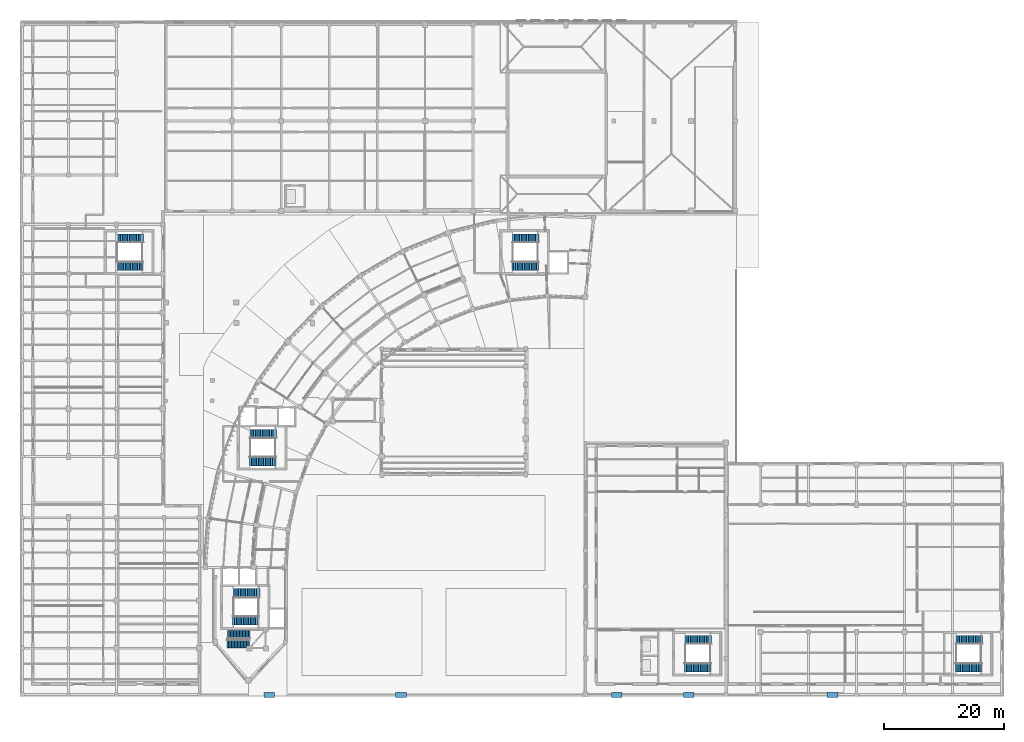
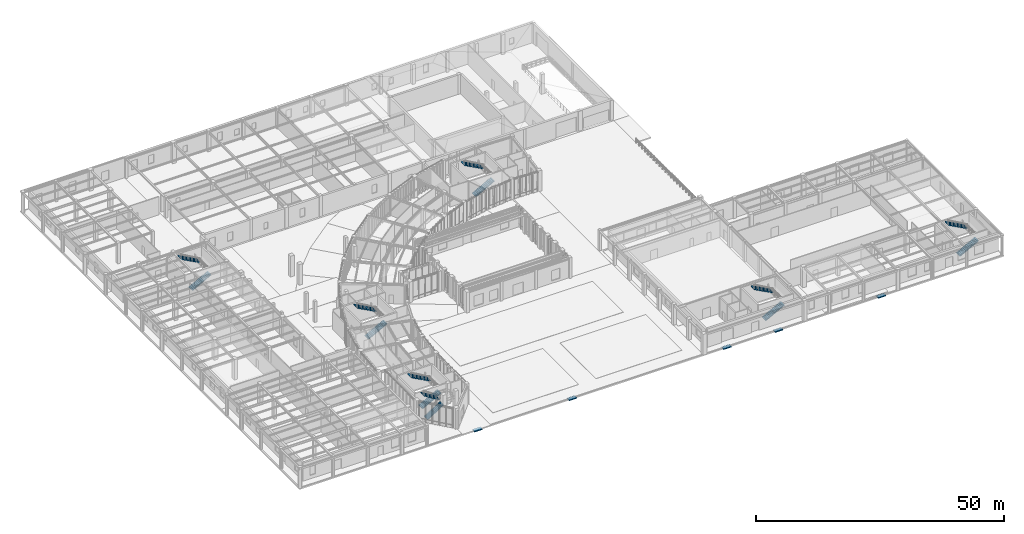
# One storey, part 51 of 68: 14 stair flights, 5 ramp flights, 12 elements without a shape of their own.
"""IFC4 building model written with IfcOpenShell, lengths in metres."""

from ifc_helpers import new_model, si_unit, direction, frame, origin, place, context, subcontext, project, spatial, polyline, outline, extrude, material, layer, layer_set, type_object, element, aggregate, save


model = new_model("IFC4")

# Units and contexts
model_context = context("Model", 3, precision=1e-05, world=origin(), true_north=direction((0.0, 1.0)))
body_context = subcontext(model_context, "Body", "Model", "MODEL_VIEW")
ifc_project = project(units=[si_unit("LENGTHUNIT", "METRE"), si_unit("AREAUNIT", "SQUARE_METRE"), si_unit("VOLUMEUNIT", "CUBIC_METRE"), si_unit("PLANEANGLEUNIT", "RADIAN"), si_unit("MASSUNIT", "GRAM", prefix="KILO"), si_unit("THERMODYNAMICTEMPERATUREUNIT", "KELVIN"), si_unit("POWERUNIT", "WATT")], contexts=[model_context])

# Site, building, storey
site_placement = place(None, origin())
site = spatial("IfcSite", under=ifc_project, at=site_placement, CompositionType="ELEMENT")
building_placement = place(site_placement, origin())
building = spatial("IfcBuilding", under=site, at=building_placement, Name="Solvatero Civic Police Headquarters", CompositionType="ELEMENT")
storey_placement = place(building_placement, origin())
storey = spatial("IfcBuildingStorey", under=building, at=storey_placement, Name="L00", CompositionType="ELEMENT", Elevation=0.0)

# Stair, stair flights
ifc_material_1 = material(Name="Precast concrete C40/50", Category="concrete")
stair_type_1 = type_object("IfcStairType", Name="STR-C145-510", PredefinedType="HALF_TURN_STAIR", material=ifc_material_1)
stair_1_placement = place(storey_placement, origin())
stair_1 = element("IfcStair", 1, at=stair_1_placement, inside=storey, type_object=stair_type_1, Name="Protected Exit Stair ST-C3 (L00 to L01)", PredefinedType="HALF_TURN_STAIR")
stair_flight_type_1 = type_object("IfcStairFlightType", Name="SFL-STR-C145-510", PredefinedType="STRAIGHT", material=ifc_material_1)
stair_flight_1_placement = place(storey_placement, frame((86.5, 76.27490234375, 0.0), z_axis=(0.0, 0.0, 1.0), x_axis=(1.0, 0.0, 0.0)))
stair_flight_1 = element("IfcStairFlight", 2, at=stair_flight_1_placement, type_object=stair_flight_type_1, Name="ST-C3 L00 Flight 1", NumberOfRisers=16, NumberOfTreads=15, PredefinedType="STRAIGHT", RiserHeight=0.159375, TreadLength=0.295, context=body_context, shape_type="SweptSolid", body=[
    extrude(outline(polyline([(0.0, 0.0), (0.0, 0.159423828125), (0.294921875, 0.159423828125), (0.294921875, 0.31884765625), (0.590087890625, 0.31884765625), (0.590087890625, 0.47802734375), (0.885009765625, 0.47802734375), (0.885009765625, 0.637451171875), (1.179931640625, 0.637451171875), (1.179931640625, 0.796875), (1.47509765625, 0.796875), (1.47509765625, 0.956298828125), (1.77001953125, 0.956298828125), (1.77001953125, 1.11572265625), (2.06494140625, 1.11572265625), (2.06494140625, 1.27490234375), (2.360107421875, 1.27490234375), (2.360107421875, 1.434326171875), (2.655029296875, 1.434326171875), (2.655029296875, 1.59375), (2.949951171875, 1.59375), (2.949951171875, 1.753173828125), (3.2451171875, 1.753173828125), (3.2451171875, 1.91259765625), (3.5400390625, 1.91259765625), (3.5400390625, 2.07177734375), (3.8349609375, 2.07177734375), (3.8349609375, 2.231201171875), (4.1298828125, 2.231201171875), (4.1298828125, 2.390625), (4.425048828125, 2.390625), (4.425048828125, 2.550048828125), (4.425048828125, 2.208984375), (0.33642578125, 0.0), (0.0, 0.0)])), frame((0.0, 0.72509765625, 0.0), z_axis=(0.0, -1.0, 0.0), x_axis=(1.0, 0.0, 0.0)), (0.0, 0.0, 1.0), 1.449951171875),
])
stair_flight_2_placement = place(storey_placement, frame((91.02490234375, 80.925048828125, 2.550048828125), z_axis=(0.0, 0.0, 1.0), x_axis=(-1.0, 0.0, 0.0)))
stair_flight_2 = element("IfcStairFlight", 3, at=stair_flight_2_placement, type_object=stair_flight_type_1, Name="ST-C3 L00 Flight 2", NumberOfRisers=16, NumberOfTreads=15, PredefinedType="STRAIGHT", RiserHeight=0.159375, TreadLength=0.295, context=body_context, shape_type="SweptSolid", body=[
    extrude(outline(polyline([(0.0, 0.0), (0.0, 0.159423828125), (0.294921875, 0.159423828125), (0.294921875, 0.31884765625), (0.590087890625, 0.31884765625), (0.590087890625, 0.47802734375), (0.885009765625, 0.47802734375), (0.885009765625, 0.637451171875), (1.179931640625, 0.637451171875), (1.179931640625, 0.796875), (1.47509765625, 0.796875), (1.47509765625, 0.956298828125), (1.77001953125, 0.956298828125), (1.77001953125, 1.11572265625), (2.06494140625, 1.11572265625), (2.06494140625, 1.27490234375), (2.360107421875, 1.27490234375), (2.360107421875, 1.434326171875), (2.655029296875, 1.434326171875), (2.655029296875, 1.59375), (2.949951171875, 1.59375), (2.949951171875, 1.753173828125), (3.2451171875, 1.753173828125), (3.2451171875, 1.91259765625), (3.5400390625, 1.91259765625), (3.5400390625, 2.07177734375), (3.8349609375, 2.07177734375), (3.8349609375, 2.231201171875), (4.1298828125, 2.231201171875), (4.1298828125, 2.390625), (4.425048828125, 2.390625), (4.425048828125, 2.550048828125), (4.425048828125, 2.208984375), (0.33642578125, 0.0), (0.0, 0.0)])), frame((0.0, 0.72509765625, 0.0), z_axis=(0.0, -1.0, 0.0), x_axis=(1.0, 0.0, 0.0)), (0.0, 0.0, 1.0), 1.449951171875),
])
aggregate(stair_1, [stair_flight_1, stair_flight_2])

stair_2_placement = place(storey_placement, origin())
stair_2 = element("IfcStair", 4, at=stair_2_placement, inside=storey, type_object=stair_type_1, Name="Protected Exit Stair ST-C4 (L00 to L01)", PredefinedType="HALF_TURN_STAIR")
stair_flight_3_placement = place(storey_placement, frame((20.5, 76.27490234375, 0.0), z_axis=(0.0, 0.0, 1.0), x_axis=(1.0, 0.0, 0.0)))
stair_flight_3 = element("IfcStairFlight", 5, at=stair_flight_3_placement, type_object=stair_flight_type_1, Name="ST-C4 L00 Flight 1", NumberOfRisers=16, NumberOfTreads=15, PredefinedType="STRAIGHT", RiserHeight=0.159375, TreadLength=0.295, context=body_context, shape_type="SweptSolid", body=[
    extrude(outline(polyline([(0.0, 0.0), (0.0, 0.159423828125), (0.294921875, 0.159423828125), (0.294921875, 0.31884765625), (0.590087890625, 0.31884765625), (0.590087890625, 0.47802734375), (0.885009765625, 0.47802734375), (0.885009765625, 0.637451171875), (1.179931640625, 0.637451171875), (1.179931640625, 0.796875), (1.47509765625, 0.796875), (1.47509765625, 0.956298828125), (1.77001953125, 0.956298828125), (1.77001953125, 1.11572265625), (2.06494140625, 1.11572265625), (2.06494140625, 1.27490234375), (2.360107421875, 1.27490234375), (2.360107421875, 1.434326171875), (2.655029296875, 1.434326171875), (2.655029296875, 1.59375), (2.949951171875, 1.59375), (2.949951171875, 1.753173828125), (3.2451171875, 1.753173828125), (3.2451171875, 1.91259765625), (3.5400390625, 1.91259765625), (3.5400390625, 2.07177734375), (3.8349609375, 2.07177734375), (3.8349609375, 2.231201171875), (4.1298828125, 2.231201171875), (4.1298828125, 2.390625), (4.425048828125, 2.390625), (4.425048828125, 2.550048828125), (4.425048828125, 2.208984375), (0.33642578125, 0.0), (0.0, 0.0)])), frame((0.0, 0.72509765625, 0.0), z_axis=(0.0, -1.0, 0.0), x_axis=(1.0, 0.0, 0.0)), (0.0, 0.0, 1.0), 1.449951171875),
])
stair_flight_4_placement = place(storey_placement, frame((25.02490234375, 80.925048828125, 2.550048828125), z_axis=(0.0, 0.0, 1.0), x_axis=(-1.0, 0.0, 0.0)))
stair_flight_4 = element("IfcStairFlight", 6, at=stair_flight_4_placement, type_object=stair_flight_type_1, Name="ST-C4 L00 Flight 2", NumberOfRisers=16, NumberOfTreads=15, PredefinedType="STRAIGHT", RiserHeight=0.159375, TreadLength=0.295, context=body_context, shape_type="SweptSolid", body=[
    extrude(outline(polyline([(0.0, 0.0), (0.0, 0.159423828125), (0.294921875, 0.159423828125), (0.294921875, 0.31884765625), (0.590087890625, 0.31884765625), (0.590087890625, 0.47802734375), (0.885009765625, 0.47802734375), (0.885009765625, 0.637451171875), (1.179931640625, 0.637451171875), (1.179931640625, 0.796875), (1.47509765625, 0.796875), (1.47509765625, 0.956298828125), (1.77001953125, 0.956298828125), (1.77001953125, 1.11572265625), (2.06494140625, 1.11572265625), (2.06494140625, 1.27490234375), (2.360107421875, 1.27490234375), (2.360107421875, 1.434326171875), (2.655029296875, 1.434326171875), (2.655029296875, 1.59375), (2.949951171875, 1.59375), (2.949951171875, 1.753173828125), (3.2451171875, 1.753173828125), (3.2451171875, 1.91259765625), (3.5400390625, 1.91259765625), (3.5400390625, 2.07177734375), (3.8349609375, 2.07177734375), (3.8349609375, 2.231201171875), (4.1298828125, 2.231201171875), (4.1298828125, 2.390625), (4.425048828125, 2.390625), (4.425048828125, 2.550048828125), (4.425048828125, 2.208984375), (0.33642578125, 0.0), (0.0, 0.0)])), frame((0.0, 0.72509765625, 0.0), z_axis=(0.0, -1.0, 0.0), x_axis=(1.0, 0.0, 0.0)), (0.0, 0.0, 1.0), 1.449951171875),
])
aggregate(stair_2, [stair_flight_3, stair_flight_4])

stair_3_placement = place(storey_placement, origin())
stair_3 = element("IfcStair", 7, at=stair_3_placement, inside=storey, type_object=stair_type_1, Name="Protected Exit Stair ST-C5 (L00 to L01)", PredefinedType="HALF_TURN_STAIR")
stair_flight_5_placement = place(storey_placement, frame((115.300048828125, 9.27490234375, 0.0), z_axis=(0.0, 0.0, 1.0), x_axis=(1.0, 0.0, 0.0)))
stair_flight_5 = element("IfcStairFlight", 8, at=stair_flight_5_placement, type_object=stair_flight_type_1, Name="ST-C5 L00 Flight 1", NumberOfRisers=16, NumberOfTreads=15, PredefinedType="STRAIGHT", RiserHeight=0.159375, TreadLength=0.295, context=body_context, shape_type="SweptSolid", body=[
    extrude(outline(polyline([(0.0, 0.0), (0.0, 0.159423828125), (0.294921875, 0.159423828125), (0.294921875, 0.31884765625), (0.590087890625, 0.31884765625), (0.590087890625, 0.47802734375), (0.885009765625, 0.47802734375), (0.885009765625, 0.637451171875), (1.179931640625, 0.637451171875), (1.179931640625, 0.796875), (1.47509765625, 0.796875), (1.47509765625, 0.956298828125), (1.77001953125, 0.956298828125), (1.77001953125, 1.11572265625), (2.06494140625, 1.11572265625), (2.06494140625, 1.27490234375), (2.360107421875, 1.27490234375), (2.360107421875, 1.434326171875), (2.655029296875, 1.434326171875), (2.655029296875, 1.59375), (2.949951171875, 1.59375), (2.949951171875, 1.753173828125), (3.2451171875, 1.753173828125), (3.2451171875, 1.91259765625), (3.5400390625, 1.91259765625), (3.5400390625, 2.07177734375), (3.8349609375, 2.07177734375), (3.8349609375, 2.231201171875), (4.1298828125, 2.231201171875), (4.1298828125, 2.390625), (4.425048828125, 2.390625), (4.425048828125, 2.550048828125), (4.425048828125, 2.208984375), (0.33642578125, 0.0), (0.0, 0.0)])), frame((0.0, 0.72509765625, 0.0), z_axis=(0.0, -1.0, 0.0), x_axis=(1.0, 0.0, 0.0)), (0.0, 0.0, 1.0), 1.449951171875),
])
stair_flight_6_placement = place(storey_placement, frame((119.824951171875, 13.925048828125, 2.550048828125), z_axis=(0.0, 0.0, 1.0), x_axis=(-1.0, 0.0, 0.0)))
stair_flight_6 = element("IfcStairFlight", 9, at=stair_flight_6_placement, type_object=stair_flight_type_1, Name="ST-C5 L00 Flight 2", NumberOfRisers=16, NumberOfTreads=15, PredefinedType="STRAIGHT", RiserHeight=0.159375, TreadLength=0.295, context=body_context, shape_type="SweptSolid", body=[
    extrude(outline(polyline([(0.0, 0.0), (0.0, 0.159423828125), (0.294921875, 0.159423828125), (0.294921875, 0.31884765625), (0.590087890625, 0.31884765625), (0.590087890625, 0.47802734375), (0.885009765625, 0.47802734375), (0.885009765625, 0.637451171875), (1.179931640625, 0.637451171875), (1.179931640625, 0.796875), (1.47509765625, 0.796875), (1.47509765625, 0.956298828125), (1.77001953125, 0.956298828125), (1.77001953125, 1.11572265625), (2.06494140625, 1.11572265625), (2.06494140625, 1.27490234375), (2.360107421875, 1.27490234375), (2.360107421875, 1.434326171875), (2.655029296875, 1.434326171875), (2.655029296875, 1.59375), (2.949951171875, 1.59375), (2.949951171875, 1.753173828125), (3.2451171875, 1.753173828125), (3.2451171875, 1.91259765625), (3.5400390625, 1.91259765625), (3.5400390625, 2.07177734375), (3.8349609375, 2.07177734375), (3.8349609375, 2.231201171875), (4.1298828125, 2.231201171875), (4.1298828125, 2.390625), (4.425048828125, 2.390625), (4.425048828125, 2.550048828125), (4.425048828125, 2.208984375), (0.33642578125, 0.0), (0.0, 0.0)])), frame((0.0, 0.72509765625, 0.0), z_axis=(0.0, -1.0, 0.0), x_axis=(1.0, 0.0, 0.0)), (0.0, 0.0, 1.0), 1.449951171875),
])
aggregate(stair_3, [stair_flight_5, stair_flight_6])

stair_4_placement = place(storey_placement, origin())
stair_4 = element("IfcStair", 10, at=stair_4_placement, inside=storey, type_object=stair_type_1, Name="Protected Exit Stair ST-C6 (L00 to L01)", PredefinedType="HALF_TURN_STAIR")
stair_flight_7_placement = place(storey_placement, frame((160.5, 9.27490234375, 0.0), z_axis=(0.0, 0.0, 1.0), x_axis=(1.0, 0.0, 0.0)))
stair_flight_7 = element("IfcStairFlight", 11, at=stair_flight_7_placement, type_object=stair_flight_type_1, Name="ST-C6 L00 Flight 1", NumberOfRisers=16, NumberOfTreads=15, PredefinedType="STRAIGHT", RiserHeight=0.159375, TreadLength=0.295, context=body_context, shape_type="SweptSolid", body=[
    extrude(outline(polyline([(0.0, 0.0), (0.0, 0.159423828125), (0.294921875, 0.159423828125), (0.294921875, 0.31884765625), (0.590087890625, 0.31884765625), (0.590087890625, 0.47802734375), (0.885009765625, 0.47802734375), (0.885009765625, 0.637451171875), (1.179931640625, 0.637451171875), (1.179931640625, 0.796875), (1.47509765625, 0.796875), (1.47509765625, 0.956298828125), (1.77001953125, 0.956298828125), (1.77001953125, 1.11572265625), (2.06494140625, 1.11572265625), (2.06494140625, 1.27490234375), (2.360107421875, 1.27490234375), (2.360107421875, 1.434326171875), (2.655029296875, 1.434326171875), (2.655029296875, 1.59375), (2.949951171875, 1.59375), (2.949951171875, 1.753173828125), (3.2451171875, 1.753173828125), (3.2451171875, 1.91259765625), (3.5400390625, 1.91259765625), (3.5400390625, 2.07177734375), (3.8349609375, 2.07177734375), (3.8349609375, 2.231201171875), (4.1298828125, 2.231201171875), (4.1298828125, 2.390625), (4.425048828125, 2.390625), (4.425048828125, 2.550048828125), (4.425048828125, 2.208984375), (0.33642578125, 0.0), (0.0, 0.0)])), frame((0.0, 0.72509765625, 0.0), z_axis=(0.0, -1.0, 0.0), x_axis=(1.0, 0.0, 0.0)), (0.0, 0.0, 1.0), 1.449951171875),
])
stair_flight_8_placement = place(storey_placement, frame((165.02490234375, 13.925048828125, 2.550048828125), z_axis=(0.0, 0.0, 1.0), x_axis=(-1.0, 0.0, 0.0)))
stair_flight_8 = element("IfcStairFlight", 12, at=stair_flight_8_placement, type_object=stair_flight_type_1, Name="ST-C6 L00 Flight 2", NumberOfRisers=16, NumberOfTreads=15, PredefinedType="STRAIGHT", RiserHeight=0.159375, TreadLength=0.295, context=body_context, shape_type="SweptSolid", body=[
    extrude(outline(polyline([(0.0, 0.0), (0.0, 0.159423828125), (0.294921875, 0.159423828125), (0.294921875, 0.31884765625), (0.590087890625, 0.31884765625), (0.590087890625, 0.47802734375), (0.885009765625, 0.47802734375), (0.885009765625, 0.637451171875), (1.179931640625, 0.637451171875), (1.179931640625, 0.796875), (1.47509765625, 0.796875), (1.47509765625, 0.956298828125), (1.77001953125, 0.956298828125), (1.77001953125, 1.11572265625), (2.06494140625, 1.11572265625), (2.06494140625, 1.27490234375), (2.360107421875, 1.27490234375), (2.360107421875, 1.434326171875), (2.655029296875, 1.434326171875), (2.655029296875, 1.59375), (2.949951171875, 1.59375), (2.949951171875, 1.753173828125), (3.2451171875, 1.753173828125), (3.2451171875, 1.91259765625), (3.5400390625, 1.91259765625), (3.5400390625, 2.07177734375), (3.8349609375, 2.07177734375), (3.8349609375, 2.231201171875), (4.1298828125, 2.231201171875), (4.1298828125, 2.390625), (4.425048828125, 2.390625), (4.425048828125, 2.550048828125), (4.425048828125, 2.208984375), (0.33642578125, 0.0), (0.0, 0.0)])), frame((0.0, 0.72509765625, 0.0), z_axis=(0.0, -1.0, 0.0), x_axis=(1.0, 0.0, 0.0)), (0.0, 0.0, 1.0), 1.449951171875),
])
aggregate(stair_4, [stair_flight_7, stair_flight_8])

stair_type_2 = type_object("IfcStairType", Name="STR-C150-510", PredefinedType="HALF_TURN_STAIR", material=ifc_material_1)
stair_5_placement = place(storey_placement, origin())
stair_5 = element("IfcStair", 13, at=stair_5_placement, inside=storey, type_object=stair_type_2, Name="Protected Exit Stair ST-C1 (L00 to L01)", PredefinedType="HALF_TURN_STAIR")
stair_flight_type_2 = type_object("IfcStairFlightType", Name="SFL-STR-C150-510", PredefinedType="STRAIGHT", material=ifc_material_1)
stair_flight_9_placement = place(storey_placement, frame((39.89990234375, 17.10009765625, 0.0), z_axis=(0.0, 0.0, 1.0), x_axis=(1.0, 0.0, 0.0)))
stair_flight_9 = element("IfcStairFlight", 14, at=stair_flight_9_placement, type_object=stair_flight_type_2, Name="ST-C1 L00 Flight 1", NumberOfRisers=16, NumberOfTreads=15, PredefinedType="STRAIGHT", RiserHeight=0.159375, TreadLength=0.295, context=body_context, shape_type="SweptSolid", body=[
    extrude(outline(polyline([(0.0, 0.0), (0.0, 0.159423828125), (0.294921875, 0.159423828125), (0.294921875, 0.31884765625), (0.590087890625, 0.31884765625), (0.590087890625, 0.47802734375), (0.885009765625, 0.47802734375), (0.885009765625, 0.637451171875), (1.179931640625, 0.637451171875), (1.179931640625, 0.796875), (1.47509765625, 0.796875), (1.47509765625, 0.956298828125), (1.77001953125, 0.956298828125), (1.77001953125, 1.11572265625), (2.06494140625, 1.11572265625), (2.06494140625, 1.27490234375), (2.360107421875, 1.27490234375), (2.360107421875, 1.434326171875), (2.655029296875, 1.434326171875), (2.655029296875, 1.59375), (2.949951171875, 1.59375), (2.949951171875, 1.753173828125), (3.2451171875, 1.753173828125), (3.2451171875, 1.91259765625), (3.5400390625, 1.91259765625), (3.5400390625, 2.07177734375), (3.8349609375, 2.07177734375), (3.8349609375, 2.231201171875), (4.1298828125, 2.231201171875), (4.1298828125, 2.390625), (4.425048828125, 2.390625), (4.425048828125, 2.550048828125), (4.425048828125, 2.208984375), (0.33642578125, 0.0), (0.0, 0.0)])), frame((0.0, 0.75, 0.0), z_axis=(0.0, -1.0, 0.0), x_axis=(1.0, 0.0, 0.0)), (0.0, 0.0, 1.0), 1.5),
])
stair_flight_10_placement = place(storey_placement, frame((44.425048828125, 21.699951171875, 2.550048828125), z_axis=(0.0, 0.0, 1.0), x_axis=(-1.0, 0.0, 0.0)))
stair_flight_10 = element("IfcStairFlight", 15, at=stair_flight_10_placement, type_object=stair_flight_type_2, Name="ST-C1 L00 Flight 2", NumberOfRisers=16, NumberOfTreads=15, PredefinedType="STRAIGHT", RiserHeight=0.159375, TreadLength=0.295, context=body_context, shape_type="SweptSolid", body=[
    extrude(outline(polyline([(0.0, 0.0), (0.0, 0.159423828125), (0.294921875, 0.159423828125), (0.294921875, 0.31884765625), (0.590087890625, 0.31884765625), (0.590087890625, 0.47802734375), (0.885009765625, 0.47802734375), (0.885009765625, 0.637451171875), (1.179931640625, 0.637451171875), (1.179931640625, 0.796875), (1.47509765625, 0.796875), (1.47509765625, 0.956298828125), (1.77001953125, 0.956298828125), (1.77001953125, 1.11572265625), (2.06494140625, 1.11572265625), (2.06494140625, 1.27490234375), (2.360107421875, 1.27490234375), (2.360107421875, 1.434326171875), (2.655029296875, 1.434326171875), (2.655029296875, 1.59375), (2.949951171875, 1.59375), (2.949951171875, 1.753173828125), (3.2451171875, 1.753173828125), (3.2451171875, 1.91259765625), (3.5400390625, 1.91259765625), (3.5400390625, 2.07177734375), (3.8349609375, 2.07177734375), (3.8349609375, 2.231201171875), (4.1298828125, 2.231201171875), (4.1298828125, 2.390625), (4.425048828125, 2.390625), (4.425048828125, 2.550048828125), (4.425048828125, 2.208984375), (0.33642578125, 0.0), (0.0, 0.0)])), frame((0.0, 0.75, 0.0), z_axis=(0.0, -1.0, 0.0), x_axis=(1.0, 0.0, 0.0)), (0.0, 0.0, 1.0), 1.5),
])
aggregate(stair_5, [stair_flight_9, stair_flight_10])

stair_6_placement = place(storey_placement, origin())
stair_6 = element("IfcStair", 16, at=stair_6_placement, inside=storey, type_object=stair_type_2, Name="Protected Exit Stair ST-C2 (L00 to L01)", PredefinedType="HALF_TURN_STAIR")
stair_flight_11_placement = place(storey_placement, frame((42.699951171875, 43.699951171875, 0.0), z_axis=(0.0, 0.0, 1.0), x_axis=(1.0, 0.0, 0.0)))
stair_flight_11 = element("IfcStairFlight", 17, at=stair_flight_11_placement, type_object=stair_flight_type_2, Name="ST-C2 L00 Flight 1", NumberOfRisers=16, NumberOfTreads=15, PredefinedType="STRAIGHT", RiserHeight=0.159375, TreadLength=0.295, context=body_context, shape_type="SweptSolid", body=[
    extrude(outline(polyline([(0.0, 0.0), (0.0, 0.159423828125), (0.294921875, 0.159423828125), (0.294921875, 0.31884765625), (0.590087890625, 0.31884765625), (0.590087890625, 0.47802734375), (0.885009765625, 0.47802734375), (0.885009765625, 0.637451171875), (1.179931640625, 0.637451171875), (1.179931640625, 0.796875), (1.47509765625, 0.796875), (1.47509765625, 0.956298828125), (1.77001953125, 0.956298828125), (1.77001953125, 1.11572265625), (2.06494140625, 1.11572265625), (2.06494140625, 1.27490234375), (2.360107421875, 1.27490234375), (2.360107421875, 1.434326171875), (2.655029296875, 1.434326171875), (2.655029296875, 1.59375), (2.949951171875, 1.59375), (2.949951171875, 1.753173828125), (3.2451171875, 1.753173828125), (3.2451171875, 1.91259765625), (3.5400390625, 1.91259765625), (3.5400390625, 2.07177734375), (3.8349609375, 2.07177734375), (3.8349609375, 2.231201171875), (4.1298828125, 2.231201171875), (4.1298828125, 2.390625), (4.425048828125, 2.390625), (4.425048828125, 2.550048828125), (4.425048828125, 2.208984375), (0.33642578125, 0.0), (0.0, 0.0)])), frame((0.0, 0.75, 0.0), z_axis=(0.0, -1.0, 0.0), x_axis=(1.0, 0.0, 0.0)), (0.0, 0.0, 1.0), 1.5),
])
stair_flight_12_placement = place(storey_placement, frame((47.22509765625, 48.300048828125, 2.550048828125), z_axis=(0.0, 0.0, 1.0), x_axis=(-1.0, 0.0, 0.0)))
stair_flight_12 = element("IfcStairFlight", 18, at=stair_flight_12_placement, type_object=stair_flight_type_2, Name="ST-C2 L00 Flight 2", NumberOfRisers=16, NumberOfTreads=15, PredefinedType="STRAIGHT", RiserHeight=0.159375, TreadLength=0.295, context=body_context, shape_type="SweptSolid", body=[
    extrude(outline(polyline([(0.0, 0.0), (0.0, 0.159423828125), (0.294921875, 0.159423828125), (0.294921875, 0.31884765625), (0.590087890625, 0.31884765625), (0.590087890625, 0.47802734375), (0.885009765625, 0.47802734375), (0.885009765625, 0.637451171875), (1.179931640625, 0.637451171875), (1.179931640625, 0.796875), (1.47509765625, 0.796875), (1.47509765625, 0.956298828125), (1.77001953125, 0.956298828125), (1.77001953125, 1.11572265625), (2.06494140625, 1.11572265625), (2.06494140625, 1.27490234375), (2.360107421875, 1.27490234375), (2.360107421875, 1.434326171875), (2.655029296875, 1.434326171875), (2.655029296875, 1.59375), (2.949951171875, 1.59375), (2.949951171875, 1.753173828125), (3.2451171875, 1.753173828125), (3.2451171875, 1.91259765625), (3.5400390625, 1.91259765625), (3.5400390625, 2.07177734375), (3.8349609375, 2.07177734375), (3.8349609375, 2.231201171875), (4.1298828125, 2.231201171875), (4.1298828125, 2.390625), (4.425048828125, 2.390625), (4.425048828125, 2.550048828125), (4.425048828125, 2.208984375), (0.33642578125, 0.0), (0.0, 0.0)])), frame((0.0, 0.75, 0.0), z_axis=(0.0, -1.0, 0.0), x_axis=(1.0, 0.0, 0.0)), (0.0, 0.0, 1.0), 1.5),
])
aggregate(stair_6, [stair_flight_11, stair_flight_12])

stair_type_3 = type_object("IfcStairType", Name="STR-PRW-510", PredefinedType="HALF_TURN_STAIR", material=ifc_material_1)
stair_7_placement = place(storey_placement, origin())
stair_7 = element("IfcStair", 19, at=stair_7_placement, inside=storey, type_object=stair_type_3, Name="Glazed Prow Ceremonial Stair (L00 to L01)", PredefinedType="HALF_TURN_STAIR")
stair_flight_type_3 = type_object("IfcStairFlightType", Name="SFL-STR-PRW-510", PredefinedType="STRAIGHT", material=ifc_material_1)
stair_flight_13_placement = place(storey_placement, frame((38.93994140625, 13.219970703125, 0.0), z_axis=(0.0, 0.0, 1.0), x_axis=(1.0, 0.0, 0.0)))
stair_flight_13 = element("IfcStairFlight", 20, at=stair_flight_13_placement, type_object=stair_flight_type_3, Name="ST-PRW L00 Flight 1", NumberOfRisers=16, NumberOfTreads=15, PredefinedType="STRAIGHT", RiserHeight=0.159375, TreadLength=0.25, context=body_context, shape_type="SweptSolid", body=[
    extrude(outline(polyline([(0.0, 0.0), (0.0, 0.159423828125), (0.25, 0.159423828125), (0.25, 0.31884765625), (0.5, 0.31884765625), (0.5, 0.47802734375), (0.75, 0.47802734375), (0.75, 0.637451171875), (1.0, 0.637451171875), (1.0, 0.796875), (1.25, 0.796875), (1.25, 0.956298828125), (1.5, 0.956298828125), (1.5, 1.11572265625), (1.75, 1.11572265625), (1.75, 1.27490234375), (2.0, 1.27490234375), (2.0, 1.434326171875), (2.25, 1.434326171875), (2.25, 1.59375), (2.5, 1.59375), (2.5, 1.753173828125), (2.75, 1.753173828125), (2.75, 1.91259765625), (3.0, 1.91259765625), (3.0, 2.07177734375), (3.25, 2.07177734375), (3.25, 2.231201171875), (3.5, 2.231201171875), (3.5, 2.390625), (3.75, 2.390625), (3.75, 2.550048828125), (3.75, 2.200927734375), (0.29736328125, 0.0), (0.0, 0.0)])), frame((0.0, 0.68017578125, 0.0), z_axis=(0.0, -1.0, 0.0), x_axis=(1.0, 0.0, 0.0)), (0.0, 0.0, 1.0), 1.360107421875),
])
stair_flight_14_placement = place(storey_placement, frame((42.7900390625, 14.820068359375, 2.550048828125), z_axis=(0.0, 0.0, 1.0), x_axis=(-1.0, 0.0, 0.0)))
stair_flight_14 = element("IfcStairFlight", 21, at=stair_flight_14_placement, type_object=stair_flight_type_3, Name="ST-PRW L00 Flight 2", NumberOfRisers=16, NumberOfTreads=15, PredefinedType="STRAIGHT", RiserHeight=0.159375, TreadLength=0.25, context=body_context, shape_type="SweptSolid", body=[
    extrude(outline(polyline([(0.0, 0.0), (0.0, 0.159423828125), (0.25, 0.159423828125), (0.25, 0.31884765625), (0.5, 0.31884765625), (0.5, 0.47802734375), (0.75, 0.47802734375), (0.75, 0.637451171875), (1.0, 0.637451171875), (1.0, 0.796875), (1.25, 0.796875), (1.25, 0.956298828125), (1.5, 0.956298828125), (1.5, 1.11572265625), (1.75, 1.11572265625), (1.75, 1.27490234375), (2.0, 1.27490234375), (2.0, 1.434326171875), (2.25, 1.434326171875), (2.25, 1.59375), (2.5, 1.59375), (2.5, 1.753173828125), (2.75, 1.753173828125), (2.75, 1.91259765625), (3.0, 1.91259765625), (3.0, 2.07177734375), (3.25, 2.07177734375), (3.25, 2.231201171875), (3.5, 2.231201171875), (3.5, 2.390625), (3.75, 2.390625), (3.75, 2.550048828125), (3.75, 2.200927734375), (0.29736328125, 0.0), (0.0, 0.0)])), frame((0.0, 0.68017578125, 0.0), z_axis=(0.0, -1.0, 0.0), x_axis=(1.0, 0.0, 0.0)), (0.0, 0.0, 1.0), 1.360107421875),
])
aggregate(stair_7, [stair_flight_13, stair_flight_14])

# Ramp, ramp flight
ifc_material_2 = material(Name="Concrete C35/45", Category="concrete")
ramp_type = type_object("IfcRampType", Name="RMP-PED-180", PredefinedType="STRAIGHT_RUN_RAMP", material=ifc_material_2)
ramp_1_placement = place(storey_placement, origin())
ramp_1 = element("IfcRamp", 22, at=ramp_1_placement, inside=storey, type_object=ramp_type, Name="Pedestrian entrance ramp PR-01", PredefinedType="STRAIGHT_RUN_RAMP")
ifc_layer = layer(ifc_material_2, 0.219970703125)
ifc_layer_set = layer_set([ifc_layer], Name="Concrete C35/45")
ramp_flight_type = type_object("IfcRampFlightType", Name="RFL-PED-180", PredefinedType="STRAIGHT", material=ifc_layer_set)
ramp_flight_1_placement = place(storey_placement, frame((104.0, 4.25, -0.0400390625), z_axis=(0.0, 0.0, 1.0), x_axis=(0.0, 1.0, 0.0)))
ramp_flight_1 = element("IfcRampFlight", 23, at=ramp_flight_1_placement, type_object=ramp_flight_type, Name="Pedestrian ramp PR-01 flight", PredefinedType="STRAIGHT", context=body_context, shape_type="SweptSolid", body=[
    extrude(outline(polyline([(0.0, 0.0), (0.85009765625, 0.0400390625), (0.85009765625, -0.179931640625), (0.0, -0.219970703125), (0.0, 0.0)])), frame((0.0, 0.89990234375, 0.0), z_axis=(0.0, -1.0, 0.0), x_axis=(1.0, 0.0, 0.0)), (0.0, 0.0, 1.0), 1.800048828125),
])
aggregate(ramp_1, [ramp_flight_1])

ramp_2_placement = place(storey_placement, origin())
ramp_2 = element("IfcRamp", 24, at=ramp_2_placement, inside=storey, type_object=ramp_type, Name="Pedestrian entrance ramp PR-02", PredefinedType="STRAIGHT_RUN_RAMP")
ramp_flight_2_placement = place(storey_placement, frame((116.0, 4.25, -0.0400390625), z_axis=(0.0, 0.0, 1.0), x_axis=(0.0, 1.0, 0.0)))
ramp_flight_2 = element("IfcRampFlight", 25, at=ramp_flight_2_placement, type_object=ramp_flight_type, Name="Pedestrian ramp PR-02 flight", PredefinedType="STRAIGHT", context=body_context, shape_type="SweptSolid", body=[
    extrude(outline(polyline([(0.0, 0.0), (0.85009765625, 0.0400390625), (0.85009765625, -0.179931640625), (0.0, -0.219970703125), (0.0, 0.0)])), frame((0.0, 0.89990234375, 0.0), z_axis=(0.0, -1.0, 0.0), x_axis=(1.0, 0.0, 0.0)), (0.0, 0.0, 1.0), 1.800048828125),
])
aggregate(ramp_2, [ramp_flight_2])

ramp_3_placement = place(storey_placement, origin())
ramp_3 = element("IfcRamp", 26, at=ramp_3_placement, inside=storey, type_object=ramp_type, Name="Pedestrian entrance ramp PR-03", PredefinedType="STRAIGHT_RUN_RAMP")
ramp_flight_3_placement = place(storey_placement, frame((46.0, 4.25, -0.0400390625), z_axis=(0.0, 0.0, 1.0), x_axis=(0.0, 1.0, 0.0)))
ramp_flight_3 = element("IfcRampFlight", 27, at=ramp_flight_3_placement, type_object=ramp_flight_type, Name="Pedestrian ramp PR-03 flight", PredefinedType="STRAIGHT", context=body_context, shape_type="SweptSolid", body=[
    extrude(outline(polyline([(0.0, 0.0), (0.85009765625, 0.0400390625), (0.85009765625, -0.179931640625), (0.0, -0.219970703125), (0.0, 0.0)])), frame((0.0, 0.89990234375, 0.0), z_axis=(0.0, -1.0, 0.0), x_axis=(1.0, 0.0, 0.0)), (0.0, 0.0, 1.0), 1.800048828125),
])
aggregate(ramp_3, [ramp_flight_3])

ramp_4_placement = place(storey_placement, origin())
ramp_4 = element("IfcRamp", 28, at=ramp_4_placement, inside=storey, type_object=ramp_type, Name="Pedestrian entrance ramp PR-04", PredefinedType="STRAIGHT_RUN_RAMP")
ramp_flight_4_placement = place(storey_placement, frame((68.0, 4.25, -0.0400390625), z_axis=(0.0, 0.0, 1.0), x_axis=(0.0, 1.0, 0.0)))
ramp_flight_4 = element("IfcRampFlight", 29, at=ramp_flight_4_placement, type_object=ramp_flight_type, Name="Pedestrian ramp PR-04 flight", PredefinedType="STRAIGHT", context=body_context, shape_type="SweptSolid", body=[
    extrude(outline(polyline([(0.0, 0.0), (0.85009765625, 0.0400390625), (0.85009765625, -0.179931640625), (0.0, -0.219970703125), (0.0, 0.0)])), frame((0.0, 0.89990234375, 0.0), z_axis=(0.0, -1.0, 0.0), x_axis=(1.0, 0.0, 0.0)), (0.0, 0.0, 1.0), 1.800048828125),
])
aggregate(ramp_4, [ramp_flight_4])

ramp_5_placement = place(storey_placement, origin())
ramp_5 = element("IfcRamp", 30, at=ramp_5_placement, inside=storey, type_object=ramp_type, Name="Pedestrian entrance ramp PR-05", PredefinedType="STRAIGHT_RUN_RAMP")
ramp_flight_5_placement = place(storey_placement, frame((140.0, 4.25, -0.0400390625), z_axis=(0.0, 0.0, 1.0), x_axis=(0.0, 1.0, 0.0)))
ramp_flight_5 = element("IfcRampFlight", 31, at=ramp_flight_5_placement, type_object=ramp_flight_type, Name="Pedestrian ramp PR-05 flight", PredefinedType="STRAIGHT", context=body_context, shape_type="SweptSolid", body=[
    extrude(outline(polyline([(0.0, 0.0), (0.85009765625, 0.0400390625), (0.85009765625, -0.179931640625), (0.0, -0.219970703125), (0.0, 0.0)])), frame((0.0, 0.89990234375, 0.0), z_axis=(0.0, -1.0, 0.0), x_axis=(1.0, 0.0, 0.0)), (0.0, 0.0, 1.0), 1.800048828125),
])
aggregate(ramp_5, [ramp_flight_5])

save(model, "model.ifc")
